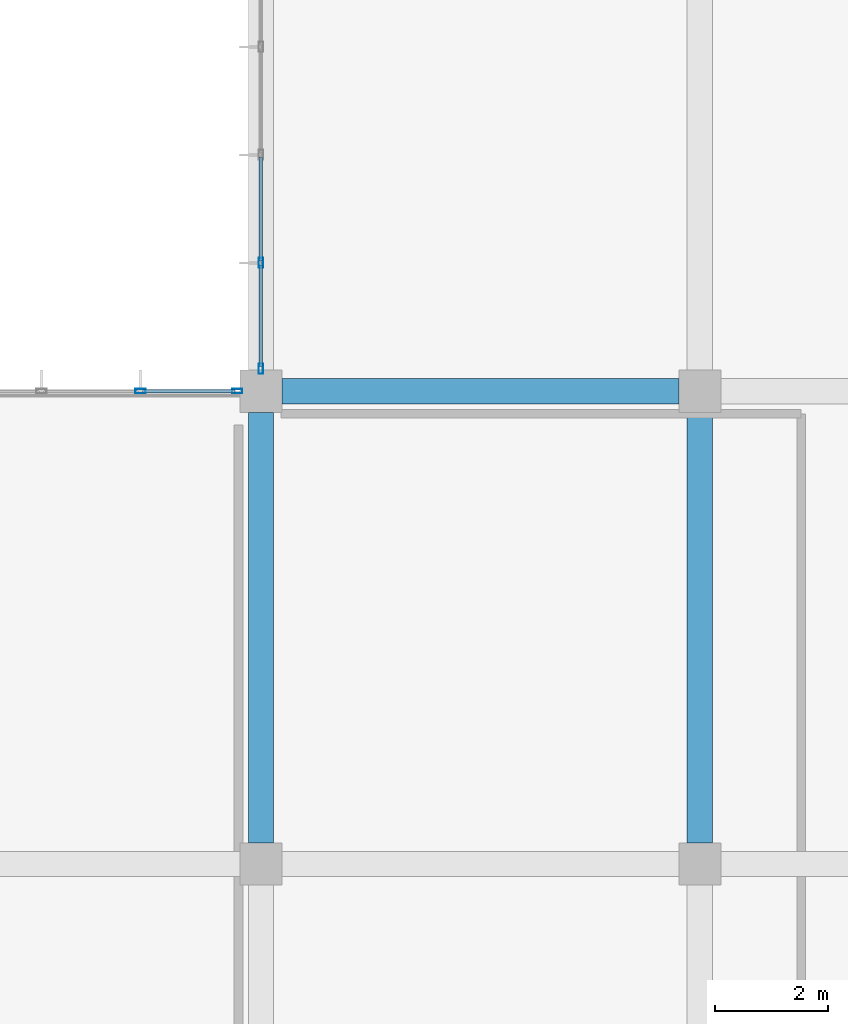
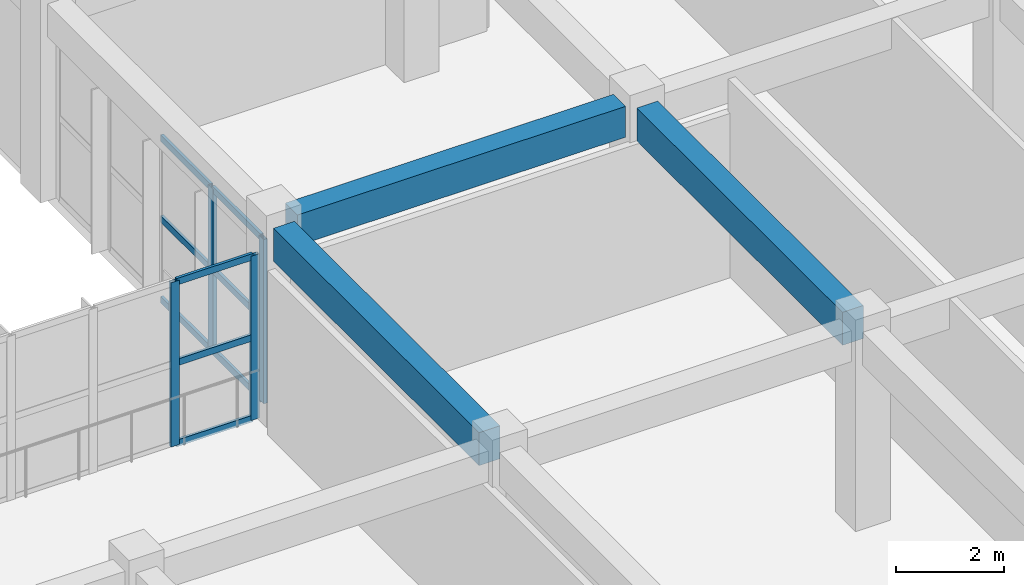
# One storey, part 47 of 167: 13 members, 3 beams, 2 elements without a shape of their own.
"""IFC4 building model written with IfcOpenShell, lengths in metres."""

from ifc_helpers import new_model, si_unit, direction, frame, origin, origin_2d, place, context, subcontext, project, spatial, rectangle, hollow_rectangle, extrude, material, layer, layer_set, material_profile, profile_set, type_object, element, aggregate, save


model = new_model("IFC4")

# Units and contexts
model_context = context("Model", 3, precision=1e-05, world=origin(), true_north=direction((0.0, 1.0)))
body_context = subcontext(model_context, "Body", "Model", "MODEL_VIEW")
ifc_project = project(units=[si_unit("LENGTHUNIT", "METRE"), si_unit("AREAUNIT", "SQUARE_METRE"), si_unit("VOLUMEUNIT", "CUBIC_METRE"), si_unit("PLANEANGLEUNIT", "RADIAN"), si_unit("MASSUNIT", "GRAM", prefix="KILO")], contexts=[model_context])

# Site, building, storey
site_placement = place(None, origin())
site = spatial("IfcSite", under=ifc_project, at=site_placement, CompositionType="ELEMENT")
building_placement = place(site_placement, origin())
building = spatial("IfcBuilding", under=site, at=building_placement, Name="Zizhar Promenade General Hospital", CompositionType="ELEMENT")
storey_placement = place(building_placement, frame((0.0, 0.0, 9.60009765625)))
storey = spatial("IfcBuildingStorey", under=building, at=storey_placement, Name="L02", CompositionType="ELEMENT", Elevation=9.60009765625)

# Beams
ifc_material_1 = material(Name="Concrete C35/45", Category="concrete")
ifc_material_profile_1 = material_profile(ifc_material_1, rectangle(XDim=0.449951171875, YDim=0.699951171875, at=origin_2d()))
ifc_profile_set_1 = profile_set([ifc_material_profile_1], Name="Concrete C35/45")
beam_type_1 = type_object("IfcBeamType", Name="BM-RC-450x700", PredefinedType="BEAM", material=ifc_profile_set_1)
beam_placement = place(storey_placement, frame((47.175048828125, 84.0, 4.119873046875), z_axis=(1.0, 0.0, 0.0), x_axis=(0.0, 1.0, 0.0)))
element("IfcBeam", 1, at=beam_placement, inside=storey, type_object=beam_type_1, Name="Grid Beam X L02 (6-10)", PredefinedType="BEAM", context=body_context, shape_type="SweptSolid", body=[
    extrude(rectangle(XDim=0.449951171875, YDim=0.699951171875, at=origin_2d()), origin(), (0.0, 0.0, 1.0), 7.050048828125),
])
ifc_material_2 = material(Name="Concrete C35/45", Category="concrete")
ifc_material_profile_2 = material_profile(ifc_material_2, rectangle(XDim=0.449951171875, YDim=0.75, at=origin_2d()))
ifc_profile_set_2 = profile_set([ifc_material_profile_2], Name="Concrete C35/45")
beam_type_2 = type_object("IfcBeamType", Name="BM-RC-450x750", PredefinedType="BEAM", material=ifc_profile_set_2)
for number, where, z_axis, x_axis, name in (
    (2, (46.800048828125, 75.97509765625, 4.094970703125), (0.0, 1.0, 0.0), (-1.0, 0.0, 0.0), "Grid Beam Y L02 (6-9)"),
    (3, (54.60009765625, 75.97509765625, 4.094970703125), (0.0, 1.0, 0.0), (-1.0, 0.0, 0.0), "Grid Beam Y L02 (7-9)"),
):
    element("IfcBeam", number, at=place(storey_placement, frame(where, z_axis=z_axis, x_axis=x_axis)), inside=storey, type_object=beam_type_2, Name=name, PredefinedType="BEAM", context=body_context, shape_type="SweptSolid", body=[
        extrude(rectangle(XDim=0.449951171875, YDim=0.75, at=origin_2d()), origin(), (0.0, 0.0, 1.0), 7.64990234375),
    ])

# Curtain wall, members
ifc_material_3 = material(Name="Anodised aluminium 6063-T6 and low-E glass", Category="aluminium")
ifc_layer_1 = layer(ifc_material_3, 0.159912109375)
ifc_layer_set_1 = layer_set([ifc_layer_1], Name="Anodised aluminium 6063-T6 and low-E glass")
curtain_wall_type_1 = type_object("IfcCurtainWallType", Name="CW-DT-MOD2", PredefinedType="NOTDEFINED", material=ifc_layer_set_1)
curtain_wall_1_placement = place(storey_placement, origin())
curtain_wall_1 = element("IfcCurtainWall", 4, at=curtain_wall_1_placement, inside=storey, type_object=curtain_wall_type_1, Name="West Diagnostic Arm Glazed Curtain Wall L02-N2", PredefinedType="NOTDEFINED")
ifc_material_4 = material(Name="Anodised aluminium 6063-T6", Category="aluminium")
ifc_material_profile_3 = material_profile(ifc_material_4, hollow_rectangle(XDim=0.080078125, YDim=0.179931640625, WallThickness=0.0048828125, at=origin_2d()))
ifc_profile_set_3 = profile_set([ifc_material_profile_3], Name="Anodised aluminium 6063-T6")
member_type_1 = type_object("IfcMemberType", Name="CWM-ALU-180x80", PredefinedType="MULLION", material=ifc_profile_set_3)
member_1_placement = place(storey_placement, frame((44.659912109375, 84.0, 0.0), z_axis=(0.0, 0.0, 1.0), x_axis=(0.0, 1.0, 0.0)))
member_1 = element("IfcMember", 5, at=member_1_placement, type_object=member_type_1, Name="CW-08 mullion 4", PredefinedType="MULLION", context=body_context, shape_type="SweptSolid", body=[
    extrude(hollow_rectangle(XDim=0.080078125, YDim=0.179931640625, WallThickness=0.0048828125, at=origin_2d()), origin(), (0.0, 0.0, 1.0), 3.72998046875),
])
member_2_placement = place(storey_placement, frame((46.3798828125, 84.0, 0.0), z_axis=(0.0, 0.0, 1.0), x_axis=(0.0, 1.0, 0.0)))
member_2 = element("IfcMember", 6, at=member_2_placement, type_object=member_type_1, Name="CW-08 mullion 5", PredefinedType="MULLION", context=body_context, shape_type="SweptSolid", body=[
    extrude(hollow_rectangle(XDim=0.080078125, YDim=0.179931640625, WallThickness=0.0048828125, at=origin_2d()), origin(), (0.0, 0.0, 1.0), 3.72998046875),
])

ifc_material_5 = material(Name="Anodised aluminium 6063-T6 and low-E glass", Category="aluminium")
ifc_layer_2 = layer(ifc_material_5, 0.159912109375)
ifc_layer_set_2 = layer_set([ifc_layer_2], Name="Anodised aluminium 6063-T6 and low-E glass")
curtain_wall_type_2 = type_object("IfcCurtainWallType", Name="CW-DT-MOD1", PredefinedType="NOTDEFINED", material=ifc_layer_set_2)
curtain_wall_2_placement = place(storey_placement, origin())
curtain_wall_2 = element("IfcCurtainWall", 7, at=curtain_wall_2_placement, inside=storey, type_object=curtain_wall_type_2, Name="Surgical West Glazed Curtain Wall L02-10", PredefinedType="NOTDEFINED")
member_3_placement = place(storey_placement, frame((46.800048828125, 84.39990234375, 0.0), z_axis=(0.0, 0.0, 1.0), x_axis=(-1.0, 0.0, 0.0)))
member_3 = element("IfcMember", 8, at=member_3_placement, type_object=member_type_1, Name="CW-07 mullion 1", PredefinedType="MULLION", context=body_context, shape_type="SweptSolid", body=[
    extrude(hollow_rectangle(XDim=0.080078125, YDim=0.179931640625, WallThickness=0.0048828125, at=origin_2d()), origin(), (0.0, 0.0, 1.0), 3.72998046875),
])
member_4_placement = place(storey_placement, frame((46.800048828125, 86.280029296875, 0.0), z_axis=(0.0, 0.0, 1.0), x_axis=(-1.0, 0.0, 0.0)))
member_4 = element("IfcMember", 9, at=member_4_placement, type_object=member_type_1, Name="CW-07 mullion 2", PredefinedType="MULLION", context=body_context, shape_type="SweptSolid", body=[
    extrude(hollow_rectangle(XDim=0.080078125, YDim=0.179931640625, WallThickness=0.0048828125, at=origin_2d()), origin(), (0.0, 0.0, 1.0), 3.72998046875),
])

# Member
ifc_material_6 = material(Name="Anodised aluminium 6063-T6", Category="aluminium")
ifc_material_profile_4 = material_profile(ifc_material_6, hollow_rectangle(XDim=0.06005859375, YDim=0.14990234375, WallThickness=0.00390625, at=origin_2d()))
ifc_profile_set_4 = profile_set([ifc_material_profile_4], Name="Anodised aluminium 6063-T6")
member_type_2 = type_object("IfcMemberType", Name="CWT-ALU-150x60", PredefinedType="USERDEFINED", material=ifc_profile_set_4)
member_5_placement = place(storey_placement, frame((44.699951171875, 84.0, 0.02978515625), z_axis=(1.0, 0.0, 0.0), x_axis=(0.0, 1.0, 0.0)))
member_5 = element("IfcMember", 10, at=member_5_placement, type_object=member_type_2, Name="CW-08 transom 4.1", ObjectType="TRANSOM", PredefinedType="USERDEFINED", context=body_context, shape_type="SweptSolid", body=[
    extrude(hollow_rectangle(XDim=0.06005859375, YDim=0.14990234375, WallThickness=0.00390625, at=origin_2d()), origin(), (0.0, 0.0, 1.0), 1.64013671875),
])

member_6_placement = place(storey_placement, frame((44.699951171875, 84.0, 1.864990234375), z_axis=(1.0, 0.0, 0.0), x_axis=(0.0, 1.0, 0.0)))
member_6 = element("IfcMember", 11, at=member_6_placement, type_object=member_type_2, Name="CW-08 transom 4.2", ObjectType="TRANSOM", PredefinedType="USERDEFINED", context=body_context, shape_type="SweptSolid", body=[
    extrude(hollow_rectangle(XDim=0.06005859375, YDim=0.14990234375, WallThickness=0.00390625, at=origin_2d()), origin(), (0.0, 0.0, 1.0), 1.64013671875),
])

member_7_placement = place(storey_placement, frame((44.699951171875, 84.0, 3.699951171875), z_axis=(1.0, 0.0, 0.0), x_axis=(0.0, 1.0, 0.0)))
member_7 = element("IfcMember", 12, at=member_7_placement, type_object=member_type_2, Name="CW-08 transom 4.3", ObjectType="TRANSOM", PredefinedType="USERDEFINED", context=body_context, shape_type="SweptSolid", body=[
    extrude(hollow_rectangle(XDim=0.06005859375, YDim=0.14990234375, WallThickness=0.00390625, at=origin_2d()), origin(), (0.0, 0.0, 1.0), 1.64013671875),
])

aggregate(curtain_wall_1, [member_1, member_2, member_5, member_6, member_7])

member_8_placement = place(storey_placement, frame((46.800048828125, 84.43994140625, 0.02978515625), z_axis=(0.0, 1.0, 0.0), x_axis=(-1.0, 0.0, 0.0)))
member_8 = element("IfcMember", 13, at=member_8_placement, type_object=member_type_2, Name="CW-07 transom 1.1", ObjectType="TRANSOM", PredefinedType="USERDEFINED", context=body_context, shape_type="SweptSolid", body=[
    extrude(hollow_rectangle(XDim=0.06005859375, YDim=0.14990234375, WallThickness=0.00390625, at=origin_2d()), origin(), (0.0, 0.0, 1.0), 1.800048828125),
])

member_9_placement = place(storey_placement, frame((46.800048828125, 84.43994140625, 1.864990234375), z_axis=(0.0, 1.0, 0.0), x_axis=(-1.0, 0.0, 0.0)))
member_9 = element("IfcMember", 14, at=member_9_placement, type_object=member_type_2, Name="CW-07 transom 1.2", ObjectType="TRANSOM", PredefinedType="USERDEFINED", context=body_context, shape_type="SweptSolid", body=[
    extrude(hollow_rectangle(XDim=0.06005859375, YDim=0.14990234375, WallThickness=0.00390625, at=origin_2d()), origin(), (0.0, 0.0, 1.0), 1.800048828125),
])

member_10_placement = place(storey_placement, frame((46.800048828125, 84.43994140625, 3.699951171875), z_axis=(0.0, 1.0, 0.0), x_axis=(-1.0, 0.0, 0.0)))
member_10 = element("IfcMember", 15, at=member_10_placement, type_object=member_type_2, Name="CW-07 transom 1.3", ObjectType="TRANSOM", PredefinedType="USERDEFINED", context=body_context, shape_type="SweptSolid", body=[
    extrude(hollow_rectangle(XDim=0.06005859375, YDim=0.14990234375, WallThickness=0.00390625, at=origin_2d()), origin(), (0.0, 0.0, 1.0), 1.800048828125),
])

member_11_placement = place(storey_placement, frame((46.800048828125, 86.320068359375, 0.02978515625), z_axis=(0.0, 1.0, 0.0), x_axis=(-1.0, 0.0, 0.0)))
member_11 = element("IfcMember", 16, at=member_11_placement, type_object=member_type_2, Name="CW-07 transom 2.1", ObjectType="TRANSOM", PredefinedType="USERDEFINED", context=body_context, shape_type="SweptSolid", body=[
    extrude(hollow_rectangle(XDim=0.06005859375, YDim=0.14990234375, WallThickness=0.00390625, at=origin_2d()), origin(), (0.0, 0.0, 1.0), 1.83984375),
])

member_12_placement = place(storey_placement, frame((46.800048828125, 86.320068359375, 1.864990234375), z_axis=(0.0, 1.0, 0.0), x_axis=(-1.0, 0.0, 0.0)))
member_12 = element("IfcMember", 17, at=member_12_placement, type_object=member_type_2, Name="CW-07 transom 2.2", ObjectType="TRANSOM", PredefinedType="USERDEFINED", context=body_context, shape_type="SweptSolid", body=[
    extrude(hollow_rectangle(XDim=0.06005859375, YDim=0.14990234375, WallThickness=0.00390625, at=origin_2d()), origin(), (0.0, 0.0, 1.0), 1.83984375),
])

member_13_placement = place(storey_placement, frame((46.800048828125, 86.320068359375, 3.699951171875), z_axis=(0.0, 1.0, 0.0), x_axis=(-1.0, 0.0, 0.0)))
member_13 = element("IfcMember", 18, at=member_13_placement, type_object=member_type_2, Name="CW-07 transom 2.3", ObjectType="TRANSOM", PredefinedType="USERDEFINED", context=body_context, shape_type="SweptSolid", body=[
    extrude(hollow_rectangle(XDim=0.06005859375, YDim=0.14990234375, WallThickness=0.00390625, at=origin_2d()), origin(), (0.0, 0.0, 1.0), 1.83984375),
])

aggregate(curtain_wall_2, [member_3, member_4, member_8, member_9, member_10, member_11, member_12, member_13])

save(model, "model.ifc")
